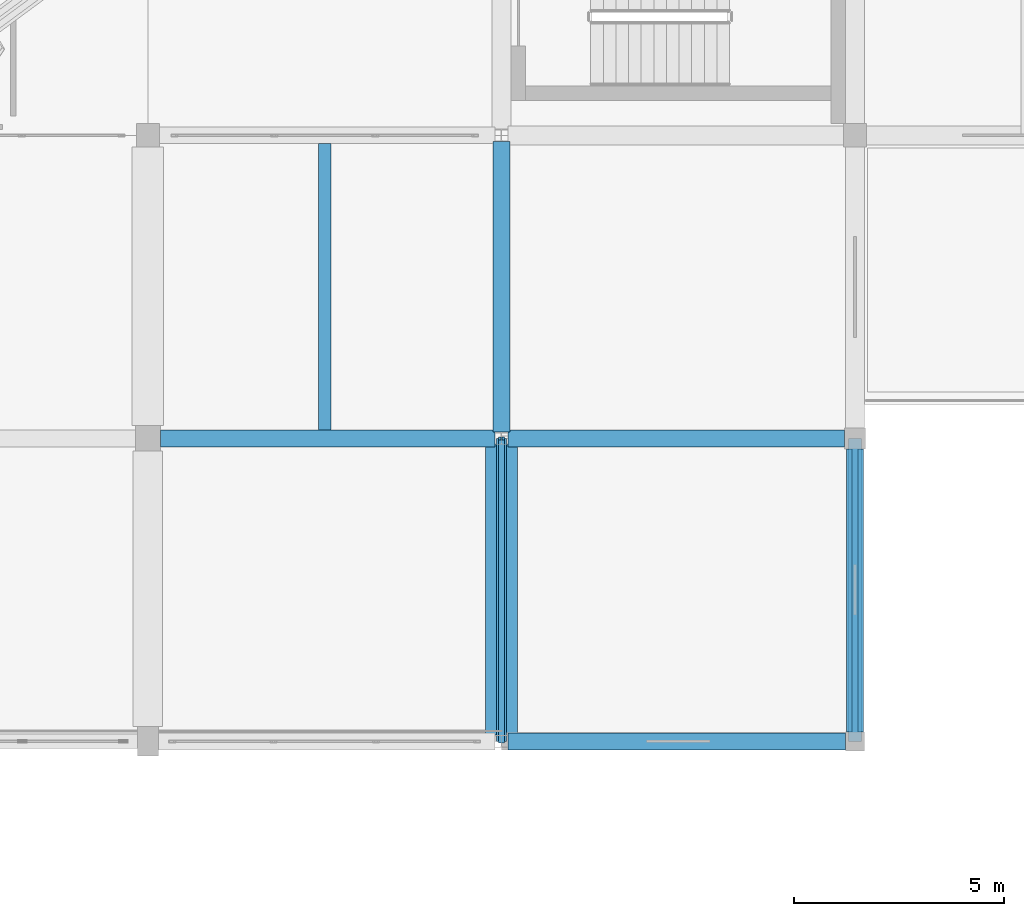
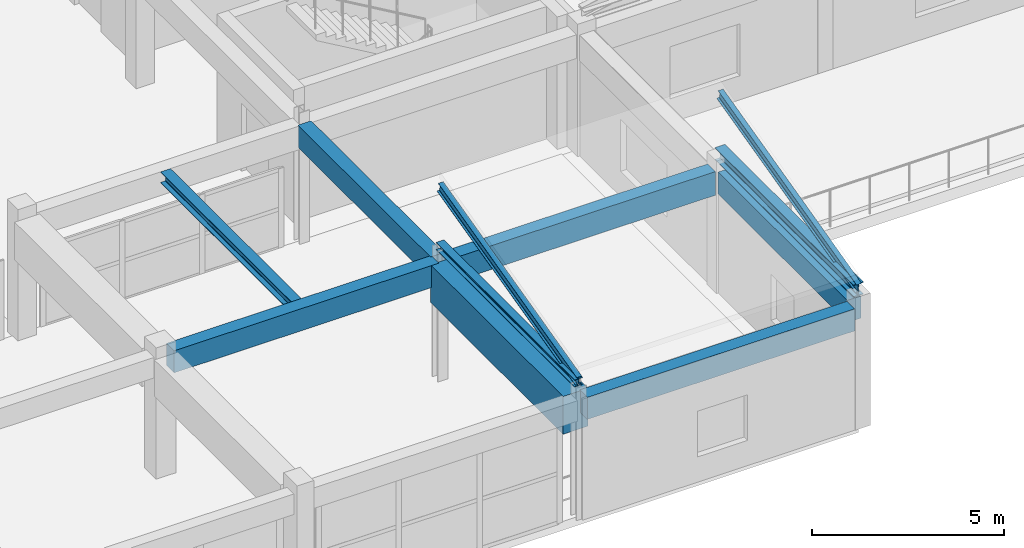
# One storey, part 25 of 74: 7 beams, 4 members.
"""IFC4 building model written with IfcOpenShell, lengths in metres."""

from ifc_helpers import new_model, si_unit, direction, frame, origin, origin_2d, place, context, subcontext, project, spatial, rectangle, i_section, extrude, material, material_profile, profile_set, type_object, element, save


model = new_model("IFC4")

# Units and contexts
model_context = context("Model", 3, precision=1e-05, world=origin(), true_north=direction((0.0, 1.0)))
body_context = subcontext(model_context, "Body", "Model", "MODEL_VIEW")
ifc_project = project(units=[si_unit("LENGTHUNIT", "METRE"), si_unit("AREAUNIT", "SQUARE_METRE"), si_unit("VOLUMEUNIT", "CUBIC_METRE"), si_unit("PLANEANGLEUNIT", "RADIAN"), si_unit("MASSUNIT", "GRAM", prefix="KILO")], contexts=[model_context])

# Site, building, storey
site_placement = place(None, origin())
site = spatial("IfcSite", under=ifc_project, at=site_placement, CompositionType="ELEMENT")
building_placement = place(site_placement, origin())
building = spatial("IfcBuilding", under=site, at=building_placement, Name="Korsvaeld Concert Hall", CompositionType="ELEMENT")
storey_placement = place(building_placement, frame((0.0, 0.0, 9.0)))
storey = spatial("IfcBuildingStorey", under=building, at=storey_placement, Name="L02", CompositionType="ELEMENT", Elevation=9.0)

# Beams
ifc_material_1 = material(Name="Concrete C35/45", Category="concrete")
ifc_material_profile_1 = material_profile(ifc_material_1, rectangle(XDim=0.39990234375, YDim=0.699951171875, at=origin_2d()), Name="RC 400x700")
ifc_profile_set_1 = profile_set([ifc_material_profile_1], Name="Concrete C35/45")
beam_type_1 = type_object("IfcBeamType", Name="BM-RC-400x700", PredefinedType="T_BEAM", material=ifc_profile_set_1)
beam_1_placement = place(storey_placement, frame((109.35009765625, 28.800048828125, 3.489990234375), z_axis=(1.0, 0.0, 0.0), x_axis=(0.0, 1.0, 0.0)))
element("IfcBeam", 1, at=beam_1_placement, inside=storey, type_object=beam_type_1, Name="Primary girder 15-16/E L02", PredefinedType="T_BEAM", context=body_context, shape_type="SweptSolid", body=[
    extrude(rectangle(XDim=0.39990234375, YDim=0.699951171875, at=origin_2d()), origin(), (0.0, 0.0, 1.0), 8.02490234375),
])
beam_2_placement = place(storey_placement, frame((101.10009765625, 36.0, 3.489990234375), z_axis=(1.0, 0.0, 0.0), x_axis=(0.0, 1.0, 0.0)))
element("IfcBeam", 2, at=beam_2_placement, inside=storey, type_object=beam_type_1, Name="Primary girder 14-15/F L02", PredefinedType="T_BEAM", context=body_context, shape_type="SweptSolid", body=[
    extrude(rectangle(XDim=0.39990234375, YDim=0.699951171875, at=origin_2d()), origin(), (0.0, 0.0, 1.0), 7.949951171875),
])
beam_3_placement = place(storey_placement, frame((109.199951171875, 36.14990234375, 3.489990234375), z_axis=(0.0, 1.0, 0.0), x_axis=(-1.0, 0.0, 0.0)))
element("IfcBeam", 3, at=beam_3_placement, inside=storey, type_object=beam_type_1, Name="Primary girder 15/F-G L02", PredefinedType="T_BEAM", context=body_context, shape_type="SweptSolid", body=[
    extrude(rectangle(XDim=0.39990234375, YDim=0.699951171875, at=origin_2d()), origin(), (0.0, 0.0, 1.0), 6.900146484375),
])
beam_4_placement = place(storey_placement, frame((117.60009765625, 29.02490234375, 3.489990234375), z_axis=(0.0, 1.0, 0.0), x_axis=(-1.0, 0.0, 0.0)))
element("IfcBeam", 4, at=beam_4_placement, inside=storey, type_object=beam_type_1, Name="Primary girder 16/E-F L02", PredefinedType="T_BEAM", context=body_context, shape_type="SweptSolid", body=[
    extrude(rectangle(XDim=0.39990234375, YDim=0.699951171875, at=origin_2d()), origin(), (0.0, 0.0, 1.0), 6.72509765625),
])
ifc_material_profile_2 = material_profile(ifc_material_1, rectangle(XDim=0.39990234375, YDim=0.75, at=origin_2d()), Name="RC 400x750")
ifc_profile_set_2 = profile_set([ifc_material_profile_2], Name="Concrete C35/45")
beam_type_2 = type_object("IfcBeamType", Name="BM-RC-400x750", PredefinedType="T_BEAM", material=ifc_profile_set_2)
beam_5_placement = place(storey_placement, frame((109.35009765625, 36.0, 3.465087890625), z_axis=(1.0, 0.0, 0.0), x_axis=(0.0, 1.0, 0.0)))
element("IfcBeam", 5, at=beam_5_placement, inside=storey, type_object=beam_type_2, Name="Primary girder 15-16/F L02", PredefinedType="T_BEAM", context=body_context, shape_type="SweptSolid", body=[
    extrude(rectangle(XDim=0.39990234375, YDim=0.75, at=origin_2d()), origin(), (0.0, 0.0, 1.0), 8.0),
])
ifc_material_2 = material(Name="Concrete C40/50", Category="concrete")
ifc_material_profile_3 = material_profile(ifc_material_2, rectangle(XDim=0.75, YDim=1.199951171875, at=origin_2d()), Name="RC 750x1200")
ifc_profile_set_3 = profile_set([ifc_material_profile_3], Name="Concrete C40/50")
beam_type_3 = type_object("IfcBeamType", Name="BM-RC-750x1200", PredefinedType="T_BEAM", material=ifc_profile_set_3)
beam_6_placement = place(storey_placement, frame((109.199951171875, 28.949951171875, 3.239990234375), z_axis=(0.0, 1.0, 0.0), x_axis=(-1.0, 0.0, 0.0)))
element("IfcBeam", 6, at=beam_6_placement, inside=storey, type_object=beam_type_3, Name="Primary girder 15/E-F L02", PredefinedType="T_BEAM", context=body_context, shape_type="SweptSolid", body=[
    extrude(rectangle(XDim=0.75, YDim=1.199951171875, at=origin_2d()), origin(), (0.0, 0.0, 1.0), 6.900146484375),
])
ifc_material_3 = material(Name="Steel S355J2", Category="steel")
ifc_material_profile_4 = material_profile(ifc_material_3, i_section(OverallWidth=0.300048828125, OverallDepth=0.35009765625, WebThickness=0.010009765625, FlangeThickness=0.017578125, FilletRadius=0.027099609375, at=origin_2d()), Name="HEA 360")
ifc_profile_set_4 = profile_set([ifc_material_profile_4], Name="Steel S355J2")
beam_type_4 = type_object("IfcBeamType", Name="BM-STL-HEA360", PredefinedType="BEAM", material=ifc_profile_set_4)
beam_7_placement = place(storey_placement, frame((105.0, 36.199951171875, 3.6650390625), z_axis=(0.0, 1.0, 0.0), x_axis=(-1.0, 0.0, 0.0)))
element("IfcBeam", 7, at=beam_7_placement, inside=storey, type_object=beam_type_4, Name="Secondary steel floor beam 14-15/F L02", PredefinedType="BEAM", context=body_context, shape_type="SweptSolid", body=[
    extrude(i_section(OverallWidth=0.300048828125, OverallDepth=0.35009765625, WebThickness=0.010009765625, FlangeThickness=0.017578125, FilletRadius=0.027099609375, at=origin_2d()), origin(), (0.0, 0.0, 1.0), 6.800048828125),
])

# Members
ifc_material_profile_5 = material_profile(ifc_material_3, i_section(OverallWidth=0.239990234375, OverallDepth=0.22998046875, WebThickness=0.007568359375, FlangeThickness=0.011962890625, FilletRadius=0.02099609375, at=origin_2d()), Name="HEA 240")
ifc_profile_set_5 = profile_set([ifc_material_profile_5], Name="Steel S355J2")
member_type_1 = type_object("IfcMemberType", Name="MEM-CHD-HEA240", PredefinedType="CHORD", material=ifc_profile_set_5)
member_1_placement = place(storey_placement, frame((109.199951171875, 28.800048828125, 4.25), z_axis=(0.0, 1.0, 0.0), x_axis=(-1.0, 0.0, 0.0)))
element("IfcMember", 8, at=member_1_placement, inside=storey, type_object=member_type_1, Name="Wintergarden skylight portal tie 3", PredefinedType="CHORD", context=body_context, shape_type="SweptSolid", body=[
    extrude(i_section(OverallWidth=0.239990234375, OverallDepth=0.22998046875, WebThickness=0.007568359375, FlangeThickness=0.011962890625, FilletRadius=0.02099609375, at=origin_2d()), origin(), (0.0, 0.0, 1.0), 7.199951171875),
])
ifc_material_profile_6 = material_profile(ifc_material_3, i_section(OverallWidth=0.300048828125, OverallDepth=0.389892578125, WebThickness=0.010986328125, FlangeThickness=0.01904296875, FilletRadius=0.027099609375, at=origin_2d()), Name="HEA 400")
ifc_profile_set_6 = profile_set([ifc_material_profile_6], Name="Steel S355J2")
member_type_2 = type_object("IfcMemberType", Name="MEM-CHD-HEA400", PredefinedType="CHORD", material=ifc_profile_set_6)
member_2_placement = place(storey_placement, frame((117.60009765625, 28.800048828125, 4.25), z_axis=(0.0, 1.0, 0.0), x_axis=(-1.0, 0.0, 0.0)))
element("IfcMember", 9, at=member_2_placement, inside=storey, type_object=member_type_2, Name="Wintergarden skylight portal tie 4", PredefinedType="CHORD", context=body_context, shape_type="SweptSolid", body=[
    extrude(i_section(OverallWidth=0.300048828125, OverallDepth=0.389892578125, WebThickness=0.010986328125, FlangeThickness=0.01904296875, FilletRadius=0.027099609375, at=origin_2d()), origin(), (0.0, 0.0, 1.0), 7.199951171875),
])
ifc_material_profile_7 = material_profile(ifc_material_3, i_section(OverallWidth=0.14990234375, OverallDepth=0.300048828125, WebThickness=0.007080078125, FlangeThickness=0.0107421875, FilletRadius=0.014892578125, at=origin_2d()), Name="IPE 300")
ifc_profile_set_7 = profile_set([ifc_material_profile_7], Name="Steel S355J2")
member_type_3 = type_object("IfcMemberType", Name="MEM-RAF-IPE300", PredefinedType="RAFTER", material=ifc_profile_set_7)
for number, where, z_axis, x_axis, name in (
    (10, (109.199951171875, 28.800048828125, 4.300048828125), (0.0, 0.970140565046, 0.242543365301), (-1.0, 0.0, 0.0), "Wintergarden skylight portal rafter 3"),
    (11, (117.60009765625, 28.800048828125, 4.300048828125), (0.0, 0.970140565046, 0.242543365301), (-1.0, 0.0, 0.0), "Wintergarden skylight portal rafter 4"),
):
    element("IfcMember", number, at=place(storey_placement, frame(where, z_axis=z_axis, x_axis=x_axis)), inside=storey, type_object=member_type_3, Name=name, PredefinedType="RAFTER", context=body_context, shape_type="SweptSolid", body=[
        extrude(i_section(OverallWidth=0.14990234375, OverallDepth=0.300048828125, WebThickness=0.007080078125, FlangeThickness=0.0107421875, FilletRadius=0.014892578125, at=origin_2d()), origin(), (0.0, 0.0, 1.0), 7.421630859375),
    ])

save(model, "model.ifc")
